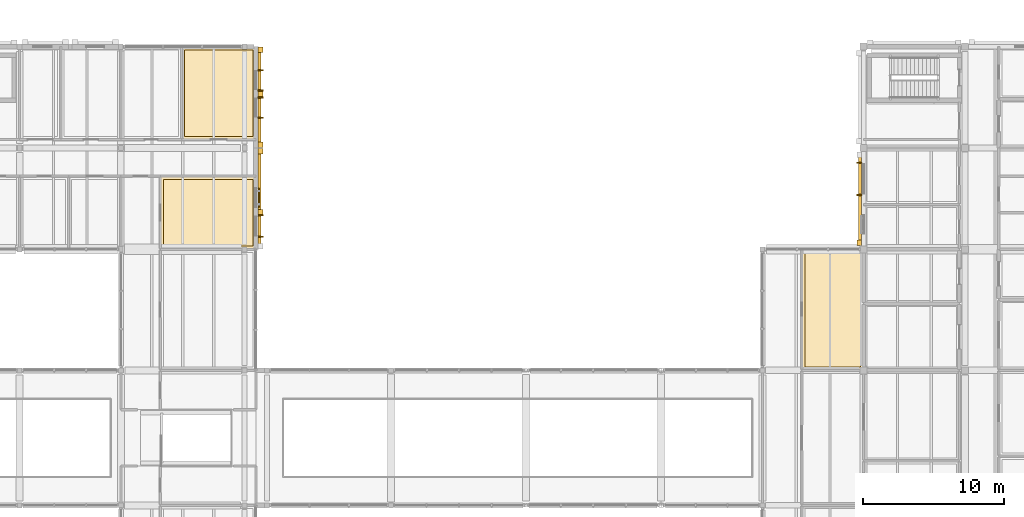
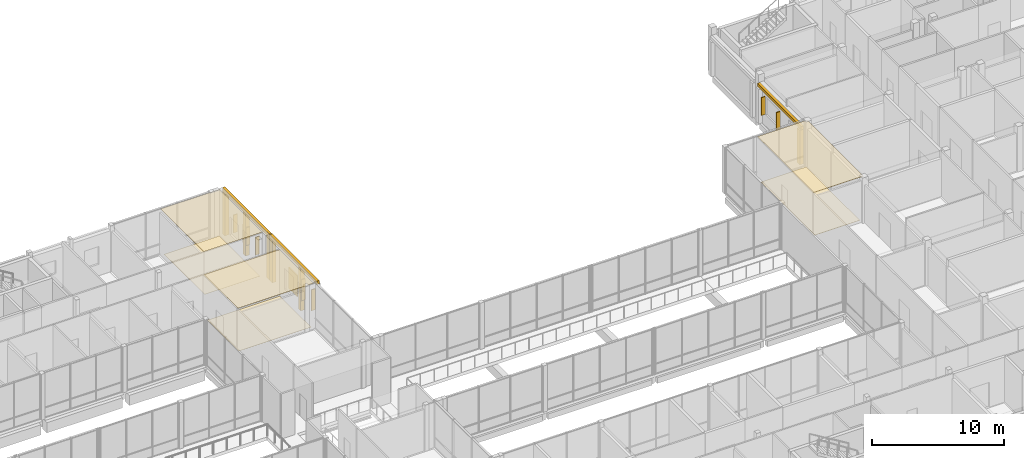
# One storey, part 141 of 146: 15 coverings, 9 shading devices.
"""IFC4 building model written with IfcOpenShell, lengths in metres."""

from ifc_helpers import new_model, si_unit, direction, frame, origin, origin_2d, place, context, subcontext, project, spatial, polyline, rectangle, outline, extrude, material, layer, layer_set, type_object, element, save


model = new_model("IFC4")

# Units and contexts
model_context = context("Model", 3, precision=1e-05, world=origin(), true_north=direction((0.0, 1.0)))
body_context = subcontext(model_context, "Body", "Model", "MODEL_VIEW")
ifc_project = project(units=[si_unit("LENGTHUNIT", "METRE"), si_unit("AREAUNIT", "SQUARE_METRE"), si_unit("VOLUMEUNIT", "CUBIC_METRE"), si_unit("PLANEANGLEUNIT", "RADIAN"), si_unit("MASSUNIT", "GRAM", prefix="KILO")], contexts=[model_context])

# Site, building, storey
site_placement = place(None, origin())
site = spatial("IfcSite", under=ifc_project, at=site_placement, CompositionType="ELEMENT")
building_placement = place(site_placement, origin())
building = spatial("IfcBuilding", under=site, at=building_placement, Name="Hawrajan Terrace Health Centre", CompositionType="ELEMENT")
storey_placement = place(building_placement, frame((0.0, 0.0, 4.5)))
storey = spatial("IfcBuildingStorey", under=building, at=storey_placement, Name="L01", CompositionType="ELEMENT", Elevation=4.5)

# Coverings
ifc_material_1 = material(Name="Precast concrete C40/50", Category="concrete")
ifc_layer_1 = layer(ifc_material_1, 0.219970703125)
ifc_layer_set_1 = layer_set([ifc_layer_1], Name="Precast concrete C40/50")
covering_type_1 = type_object("IfcCoveringType", Name="ArtDecoCorniceBand", PredefinedType="CLADDING", material=ifc_layer_set_1)
for number, where, z_axis, x_axis, name in (
    (1, (72.06494140625, 49.0, 3.9501953125), (0.0, 0.0, 1.0), (0.0, 1.0, 0.0), "Art Deco limestone cornice band CRN-L01-0078"),
    (2, (72.054931640625, 56.199951171875, 3.9501953125), (0.0, 0.0, 1.0), (0.0, 1.0, 0.0), "Art Deco limestone cornice band CRN-L01-0079"),
):
    element("IfcCovering", number, at=place(storey_placement, frame(where, z_axis=z_axis, x_axis=x_axis)), inside=storey, type_object=covering_type_1, Name=name, PredefinedType="CLADDING", context=body_context, shape_type="SweptSolid", body=[
        extrude(rectangle(XDim=7.159912109375, YDim=0.219970703125, at=origin_2d()), origin(), (0.0, 0.0, 1.0), 0.300048828125),
    ])
covering_1_placement = place(storey_placement, frame((114.739990234375, 49.0, 3.2099609375), z_axis=(0.0, 0.0, 1.0), x_axis=(0.0, 1.0, 0.0)))
element("IfcCovering", 3, at=covering_1_placement, inside=storey, type_object=covering_type_1, Name="Art Deco limestone cornice band CRN-L01-0085", PredefinedType="CLADDING", context=body_context, shape_type="SweptSolid", body=[
    extrude(rectangle(XDim=6.659912109375, YDim=0.219970703125, at=origin_2d()), origin(), (0.0, 0.0, 1.0), 0.300048828125),
])
ifc_layer_2 = layer(ifc_material_1, 0.340087890625)
ifc_layer_set_2 = layer_set([ifc_layer_2], Name="Precast concrete C40/50")
covering_type_2 = type_object("IfcCoveringType", Name="ArtDecoStonePilaster", PredefinedType="CLADDING", material=ifc_layer_set_2)
covering_2_placement = place(storey_placement, frame((72.125, 52.3798828125, 0.0), z_axis=(0.0, 0.0, 1.0), x_axis=(0.0, 1.0, 0.0)))
element("IfcCovering", 4, at=covering_2_placement, inside=storey, type_object=covering_type_2, Name="Art Deco fluted limestone pilaster FPIL-L01-0133", PredefinedType="CLADDING", context=body_context, shape_type="SweptSolid", body=[
    extrude(rectangle(XDim=0.39990234375, YDim=0.340087890625, at=origin_2d()), origin(), (0.0, 0.0, 1.0), 3.93994140625),
])
covering_3_placement = place(storey_placement, frame((72.125, 48.06005859375, 0.0), z_axis=(0.0, 0.0, 1.0), x_axis=(0.0, 1.0, 0.0)))
element("IfcCovering", 5, at=covering_3_placement, inside=storey, type_object=covering_type_2, Name="Art Deco mullion pilaster FPIL-L01-0134", PredefinedType="CLADDING", context=body_context, shape_type="SweptSolid", body=[
    extrude(rectangle(XDim=0.360107421875, YDim=0.340087890625, at=origin_2d()), origin(), (0.0, 0.0, 1.0), 3.93994140625),
])
for number, where, z_axis, x_axis, name in (
    (6, (72.114990234375, 52.820068359375, 0.0), (0.0, 0.0, 1.0), (0.0, 1.0, 0.0), "Art Deco fluted limestone pilaster FPIL-L01-0135"),
    (7, (72.114990234375, 59.580078125, 0.0), (0.0, 0.0, 1.0), (0.0, 1.0, 0.0), "Art Deco fluted limestone pilaster FPIL-L01-0136"),
):
    element("IfcCovering", number, at=place(storey_placement, frame(where, z_axis=z_axis, x_axis=x_axis)), inside=storey, type_object=covering_type_2, Name=name, PredefinedType="CLADDING", context=body_context, shape_type="SweptSolid", body=[
        extrude(rectangle(XDim=0.39990234375, YDim=0.340087890625, at=origin_2d()), origin(), (0.0, 0.0, 1.0), 3.93994140625),
    ])
covering_4_placement = place(storey_placement, frame((72.114990234375, 56.43994140625, 0.0), z_axis=(0.0, 0.0, 1.0), x_axis=(0.0, 1.0, 0.0)))
element("IfcCovering", 8, at=covering_4_placement, inside=storey, type_object=covering_type_2, Name="Art Deco mullion pilaster FPIL-L01-0137", PredefinedType="CLADDING", context=body_context, shape_type="SweptSolid", body=[
    extrude(rectangle(XDim=0.360107421875, YDim=0.340087890625, at=origin_2d()), origin(), (0.0, 0.0, 1.0), 3.93994140625),
])
covering_5_placement = place(storey_placement, frame((114.679931640625, 45.8701171875, 0.0), z_axis=(0.0, 0.0, 1.0), x_axis=(0.0, 1.0, 0.0)))
element("IfcCovering", 9, at=covering_5_placement, inside=storey, type_object=covering_type_2, Name="Art Deco fluted limestone pilaster FPIL-L01-0148", PredefinedType="CLADDING", context=body_context, shape_type="SweptSolid", body=[
    extrude(rectangle(XDim=0.39990234375, YDim=0.340087890625, at=origin_2d()), origin(), (0.0, 0.0, 1.0), 3.199951171875),
])
ifc_material_2 = material(Name="Acoustic linear cedar-slat suspended ceiling")
ifc_layer_3 = layer(ifc_material_2, 0.034912109375)
ifc_layer_set_3 = layer_set([ifc_layer_3], Name="Acoustic linear cedar-slat suspended ceiling")
covering_type_3 = type_object("IfcCoveringType", Name="CedarSlatHallCeiling_35", PredefinedType="CEILING", material=ifc_layer_set_3)
covering_6_placement = place(storey_placement, frame((0.0, 0.0, 4.14501953125)))
element("IfcCovering", 10, at=covering_6_placement, inside=storey, type_object=covering_type_3, Name="Suspended ceiling L01-075", PredefinedType="CEILING", context=body_context, shape_type="SweptSolid", body=[
    extrude(outline(polyline([(110.6201171875, 45.3798828125), (114.97998046875, 45.3798828125), (114.97998046875, 36.820068359375), (110.6201171875, 36.820068359375), (110.6201171875, 45.3798828125)])), origin(), (0.0, 0.0, 1.0), 0.034912109375),
])
ifc_material_3 = material(Name="Hygienic mineral-fibre acoustic tile ceiling")
ifc_layer_4 = layer(ifc_material_3, 0.02490234375)
ifc_layer_set_4 = layer_set([ifc_layer_4], Name="Hygienic mineral-fibre acoustic tile ceiling")
covering_type_4 = type_object("IfcCoveringType", Name="ClinicalAcousticCeiling_25", PredefinedType="CEILING", material=ifc_layer_set_4)
covering_7_placement = place(storey_placement, frame((0.0, 0.0, 4.155029296875)))
element("IfcCovering", 11, at=covering_7_placement, inside=storey, type_object=covering_type_4, Name="Suspended ceiling L01-102", PredefinedType="CEILING", context=body_context, shape_type="SweptSolid", body=[
    extrude(outline(polyline([(65.02001953125, 50.580078125), (71.77490234375, 50.580078125), (71.77490234375, 45.419921875), (65.02001953125, 45.419921875), (65.02001953125, 50.580078125)])), origin(), (0.0, 0.0, 1.0), 0.02490234375),
])
covering_8_placement = place(storey_placement, frame((0.0, 0.0, 4.155029296875)))
element("IfcCovering", 12, at=covering_8_placement, inside=storey, type_object=covering_type_4, Name="Suspended ceiling L01-104", PredefinedType="CEILING", context=body_context, shape_type="SweptSolid", body=[
    extrude(outline(polyline([(66.5283203125, 59.780029296875), (71.77490234375, 59.780029296875), (71.77490234375, 53.219970703125), (66.5283203125, 53.219970703125), (66.5283203125, 59.780029296875)])), origin(), (0.0, 0.0, 1.0), 0.02490234375),
])
ifc_material_4 = material(Name="Seamless medical-grade cushioned vinyl flooring")
ifc_layer_5 = layer(ifc_material_4, 0.011962890625)
ifc_layer_set_5 = layer_set([ifc_layer_5], Name="Seamless medical-grade cushioned vinyl flooring")
covering_type_5 = type_object("IfcCoveringType", Name="ClinicalVinylFlooring_12", PredefinedType="FLOORING", material=ifc_layer_set_5)
covering_9_placement = place(storey_placement, origin())
element("IfcCovering", 13, at=covering_9_placement, inside=storey, type_object=covering_type_5, Name="Floor finish L01-102", PredefinedType="FLOORING", context=body_context, shape_type="SweptSolid", body=[
    extrude(outline(polyline([(65.219970703125, 50.3798828125), (71.574951171875, 50.3798828125), (71.574951171875, 45.6201171875), (65.219970703125, 45.6201171875), (65.219970703125, 50.3798828125)])), origin(), (0.0, 0.0, 1.0), 0.011962890625),
])
covering_10_placement = place(storey_placement, origin())
element("IfcCovering", 14, at=covering_10_placement, inside=storey, type_object=covering_type_5, Name="Floor finish L01-104", PredefinedType="FLOORING", context=body_context, shape_type="SweptSolid", body=[
    extrude(outline(polyline([(66.728271484375, 59.580078125), (71.574951171875, 59.580078125), (71.574951171875, 53.419921875), (66.728271484375, 53.419921875), (66.728271484375, 59.580078125)])), origin(), (0.0, 0.0, 1.0), 0.011962890625),
])

# Shading devices
ifc_material_5 = material(Name="Anodized bronze mashrabiya vertical solar fin")
ifc_layer_6 = layer(ifc_material_5, 0.080078125)
ifc_layer_set_6 = layer_set([ifc_layer_6], Name="Anodized bronze mashrabiya vertical solar fin")
shading_device_type_1 = type_object("IfcShadingDeviceType", Name="MashrabiyaVerticalFin", PredefinedType="USERDEFINED", material=ifc_layer_set_6)
for number, where, z_axis, x_axis, name in (
    (15, (72.135009765625, 46.2900390625, 1.0), (0.0, 0.0, 1.0), (0.0, 1.0, 0.0), "Bronze mashrabiya solar fin FIN-L01-0089"),
    (16, (72.135009765625, 47.81005859375, 1.0), (0.0, 0.0, 1.0), (0.0, 1.0, 0.0), "Bronze mashrabiya solar fin FIN-L01-0090"),
):
    element("IfcShadingDevice", number, at=place(storey_placement, frame(where, z_axis=z_axis, x_axis=x_axis)), inside=storey, type_object=shading_device_type_1, Name=name, ObjectType="SOLAR_FIN", PredefinedType="USERDEFINED", context=body_context, shape_type="SweptSolid", body=[
        extrude(rectangle(XDim=0.080078125, YDim=0.360107421875, at=origin_2d()), origin(), (0.0, 0.0, 1.0), 1.949951171875),
    ])
for number, where, z_axis, x_axis, name in (
    (17, (72.125, 54.75, 1.050048828125), (0.0, 0.0, 1.0), (0.0, 1.0, 0.0), "Bronze mashrabiya solar fin FIN-L01-0092"),
    (18, (72.125, 56.18994140625, 1.050048828125), (0.0, 0.0, 1.0), (0.0, 1.0, 0.0), "Bronze mashrabiya solar fin FIN-L01-0093"),
    (19, (72.125, 56.68994140625, 1.050048828125), (0.0, 0.0, 1.0), (0.0, 1.0, 0.0), "Bronze mashrabiya solar fin FIN-L01-0094"),
    (20, (72.125, 58.1298828125, 1.050048828125), (0.0, 0.0, 1.0), (0.0, 1.0, 0.0), "Bronze mashrabiya solar fin FIN-L01-0095"),
    (21, (114.669921875, 49.2626953125, 1.050048828125), (0.0, 0.0, 1.0), (0.0, 1.0, 0.0), "Bronze mashrabiya solar fin FIN-L01-0102"),
    (22, (114.669921875, 51.54248046875, 1.050048828125), (0.0, 0.0, 1.0), (0.0, 1.0, 0.0), "Bronze mashrabiya solar fin FIN-L01-0103"),
):
    element("IfcShadingDevice", number, at=place(storey_placement, frame(where, z_axis=z_axis, x_axis=x_axis)), inside=storey, type_object=shading_device_type_1, Name=name, ObjectType="SOLAR_FIN", PredefinedType="USERDEFINED", context=body_context, shape_type="SweptSolid", body=[
        extrude(rectangle(XDim=0.080078125, YDim=0.360107421875, at=origin_2d()), origin(), (0.0, 0.0, 1.0), 1.64990234375),
    ])
ifc_material_6 = material(Name="Anodized bronze and cedar roshan lattice")
ifc_layer_7 = layer(ifc_material_6, 0.080078125)
ifc_layer_set_7 = layer_set([ifc_layer_7], Name="Anodized bronze and cedar roshan lattice")
shading_device_type_2 = type_object("IfcShadingDeviceType", Name="RoshanScreen_BronzeCedar", PredefinedType="JALOUSIE", material=ifc_layer_set_7)
shading_device_placement = place(storey_placement, frame((72.0, 49.070068359375, 1.0), z_axis=(0.0, 0.0, 1.0), x_axis=(0.0, 1.0, 0.0)))
element("IfcShadingDevice", 23, at=shading_device_placement, inside=storey, type_object=shading_device_type_2, Name="Hijazi roshan solar screen RSH-L01-091", PredefinedType="JALOUSIE", context=body_context, shape_type="SweptSolid", body=[
    extrude(rectangle(XDim=1.340087890625, YDim=0.080078125, at=origin_2d()), origin(), (0.0, 0.0, 1.0), 1.949951171875),
])

# Covering
ifc_material_7 = material(Name="Polished coral-aggregate terrazzo flooring")
ifc_layer_8 = layer(ifc_material_7, 0.02001953125)
ifc_layer_set_8 = layer_set([ifc_layer_8], Name="Polished coral-aggregate terrazzo flooring")
covering_type_6 = type_object("IfcCoveringType", Name="TerrazzoHallFlooring_20", PredefinedType="FLOORING", material=ifc_layer_set_8)
covering_11_placement = place(storey_placement, origin())
element("IfcCovering", 24, at=covering_11_placement, inside=storey, type_object=covering_type_6, Name="Floor finish L01-075", PredefinedType="FLOORING", context=body_context, shape_type="SweptSolid", body=[
    extrude(outline(polyline([(110.820068359375, 45.179931640625), (114.780029296875, 45.179931640625), (114.780029296875, 37.02001953125), (110.820068359375, 37.02001953125), (110.820068359375, 45.179931640625)])), origin(), (0.0, 0.0, 1.0), 0.02001953125),
])

save(model, "model.ifc")
